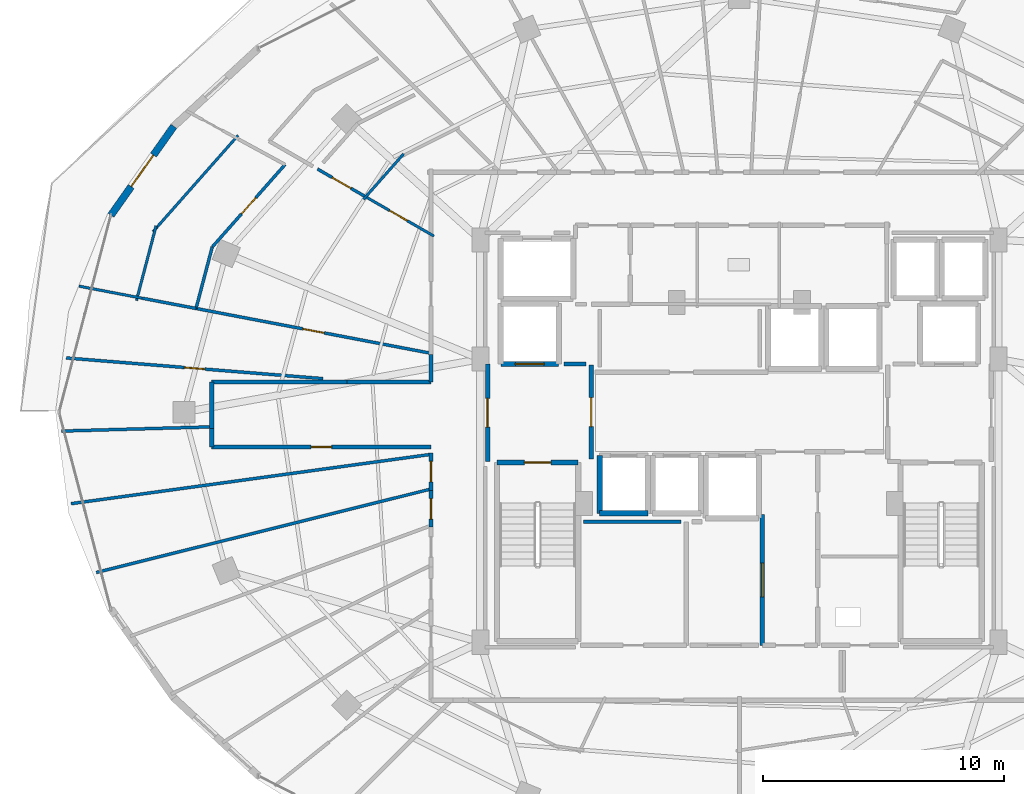
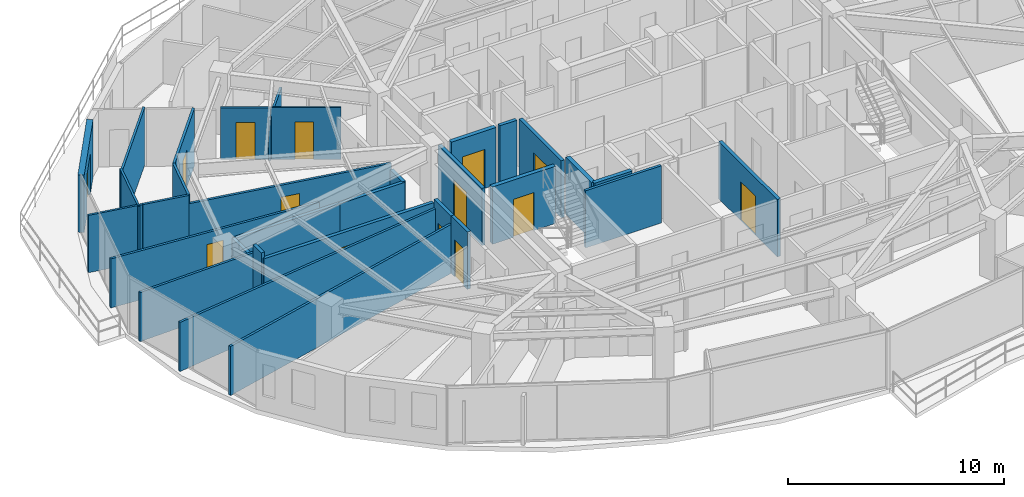
# One storey, part 25 of 33: 32 walls, 14 doors, 14 openings.
"""IFC4 building model written with IfcOpenShell, lengths in metres."""

from ifc_helpers import new_model, si_unit, direction, frame, frame_2d, origin, place, context, subcontext, project, spatial, rectangle, extrude, material, layer, layer_set, type_object, element, fill, save


model = new_model("IFC4")

# Units and contexts
model_context = context("Model", 3, precision=1e-05, world=origin(), true_north=direction((0.0, 1.0)))
body_context = subcontext(model_context, "Body", "Model", "MODEL_VIEW")
ifc_project = project(units=[si_unit("LENGTHUNIT", "METRE"), si_unit("AREAUNIT", "SQUARE_METRE"), si_unit("VOLUMEUNIT", "CUBIC_METRE"), si_unit("PLANEANGLEUNIT", "RADIAN"), si_unit("MASSUNIT", "GRAM", prefix="KILO")], contexts=[model_context])

# Site, building, storey
site_placement = place(None, origin())
site = spatial("IfcSite", under=ifc_project, at=site_placement, CompositionType="ELEMENT")
building_placement = place(site_placement, origin())
building = spatial("IfcBuilding", under=site, at=building_placement, Name="Vorneva Point Tower", CompositionType="ELEMENT")
storey_placement = place(building_placement, frame((0.0, 0.0, 196.60009765625)))
storey = spatial("IfcBuildingStorey", under=building, at=storey_placement, Name="L53", CompositionType="ELEMENT", Elevation=196.60009765625)

# Wall, opening, door
ifc_material_1 = material(Name="Concrete B60 (C50/60)", Category="concrete")
ifc_layer_1 = layer(ifc_material_1, 0.35009765625)
ifc_layer_set_1 = layer_set([ifc_layer_1], Name="Concrete B60 (C50/60)")
wall_type_1 = type_object("IfcWallType", Name="WL-CORE-350", PredefinedType="SHEAR", material=ifc_layer_set_1)
wall_1_placement = place(storey_placement, frame((28.10009765625, 28.0, 0.0), z_axis=(0.0, 0.0, 1.0), x_axis=(1.0, 0.0, 0.0)))
wall_1 = element("IfcWall", 1, at=wall_1_placement, inside=storey, type_object=wall_type_1, Name="L53 Lift FFL1 Shaft Wall -Y", PredefinedType="SHEAR", context=body_context, shape_type="SweptSolid", body=[
    extrude(rectangle(XDim=2.39990234375, YDim=0.219970703125, at=frame_2d((1.199951171875, 0.0))), origin(), (0.0, 0.0, 1.0), 3.239990234375),
])
opening_1_placement = place(wall_1_placement, frame((0.60009765625, 0.0, 0.0)))
opening_1 = element("IfcOpeningElement", 2, at=opening_1_placement, cuts=wall_1, Name="Opening LD-02", PredefinedType="OPENING", context=body_context, shape_type="SweptSolid", body=[
    extrude(rectangle(XDim=1.199951171875, YDim=2.199951171875, at=frame_2d((0.60009765625, 1.10009765625))), frame((0.0, 0.125, 0.0), z_axis=(0.0, -1.0, 0.0), x_axis=(1.0, 0.0, 0.0)), (0.0, 0.0, 1.0), 0.249755859375),
])
ifc_material_2 = material(Name="Brushed stainless steel S304", Category="steel")
door_type_1 = type_object("IfcDoorType", Name="LD-FIRE-1200", OperationType="SLIDING_TO_LEFT", PredefinedType="DOOR", material=ifc_material_2)
door_1_placement = place(opening_1_placement, origin())
door_1 = element("IfcDoor", 3, at=door_1_placement, inside=storey, type_object=door_type_1, Name="L53 Lift FFL1 Sliding Landing Door", OperationType="SLIDING_TO_LEFT", OverallHeight=2.199951171875, OverallWidth=1.199951171875, PredefinedType="DOOR", context=body_context, shape_type="SweptSolid", body=[
    extrude(rectangle(XDim=1.199951171875, YDim=2.199951171875, at=frame_2d((0.60009765625, 1.10009765625))), frame((0.0, 0.02490234375, 0.0), z_axis=(0.0, -1.0, 0.0), x_axis=(1.0, 0.0, 0.0)), (0.0, 0.0, 1.0), 0.050048828125),
])
fill(opening_1, door_1)

ifc_material_3 = material(Name="Precast concrete B50 (C40/50)", Category="concrete")
ifc_layer_2 = layer(ifc_material_3, 0.300048828125)
ifc_layer_set_2 = layer_set([ifc_layer_2], Name="Precast concrete B50 (C40/50)")
wall_type_2 = type_object("IfcWallType", Name="WL-EXT-300", PredefinedType="STANDARD", material=ifc_layer_set_2)
wall_2_placement = place(storey_placement, frame((14.527587890625, 37.861328125, 0.0), z_axis=(0.0, 0.0, 1.0), x_axis=(-0.577168747264, -0.81662490605, 0.0)))
wall_2 = element("IfcWall", 4, at=wall_2_placement, inside=storey, type_object=wall_type_2, Name="L53 Pale-Metal Facade Spandrel Wall 07.2", PredefinedType="STANDARD", context=body_context, shape_type="SweptSolid", body=[
    extrude(rectangle(XDim=4.519775390625, YDim=0.300048828125, at=frame_2d((2.259765625, 0.0))), origin(), (0.0, 0.0, 1.0), 3.239990234375),
])
opening_2_placement = place(wall_2_placement, frame((1.4599609375, 0.0, 0.0)))
opening_2 = element("IfcOpeningElement", 5, at=opening_2_placement, cuts=wall_2, Name="Opening BD-01", PredefinedType="OPENING", context=body_context, shape_type="SweptSolid", body=[
    extrude(rectangle(XDim=1.60009765625, YDim=2.300048828125, at=frame_2d((0.800048828125, 1.14990234375))), frame((0.0, 0.1650390625, 0.0), z_axis=(0.0, -1.0, 0.0), x_axis=(1.0, 0.0, 0.0)), (0.0, 0.0, 1.0), 0.329833984375),
])
ifc_material_4 = material(Name="Pale anodised aluminium", Category="aluminium")
door_type_2 = type_object("IfcDoorType", Name="DR-BAL-1600", OperationType="SLIDING_TO_LEFT", PredefinedType="DOOR", material=ifc_material_4)
door_2_placement = place(opening_2_placement, origin())
door_2 = element("IfcDoor", 6, at=door_2_placement, inside=storey, type_object=door_type_2, Name="L53 Balcony Terrace Access Door 07", OperationType="SLIDING_TO_LEFT", OverallHeight=2.300048828125, OverallWidth=1.60009765625, PredefinedType="DOOR", context=body_context, shape_type="SweptSolid", body=[
    extrude(rectangle(XDim=1.60009765625, YDim=2.300048828125, at=frame_2d((0.800048828125, 1.14990234375))), frame((0.0, 0.02490234375, 0.0), z_axis=(0.0, -1.0, 0.0), x_axis=(1.0, 0.0, 0.0)), (0.0, 0.0, 1.0), 0.050048828125),
])
fill(opening_2, door_2)

ifc_material_5 = material(Name="Fire-rated acoustic gypsum stud partition", Category="gypsum")
ifc_layer_3 = layer(ifc_material_5, 0.110107421875)
ifc_layer_set_3 = layer_set([ifc_layer_3], Name="Fire-rated acoustic gypsum stud partition")
wall_type_3 = type_object("IfcWallType", Name="WL-PART-110", PredefinedType="PARTITIONING", material=ifc_layer_set_3)
wall_3_placement = place(storey_placement, frame((25.3212890625, 33.30615234375, 0.0), z_axis=(0.0, 0.0, 1.0), x_axis=(-0.866517217622, 0.49914718427, 0.0)))
wall_3 = element("IfcWall", 7, at=wall_3_placement, inside=storey, type_object=wall_type_3, Name="L53 Interior Partition 091", PredefinedType="PARTITIONING", context=body_context, shape_type="SweptSolid", body=[
    extrude(rectangle(XDim=3.4052734375, YDim=0.110107421875, at=frame_2d((1.70263671875, 0.0))), origin(), (0.0, 0.0, 1.0), 2.921875),
])
opening_3_placement = place(wall_3_placement, frame((1.277587890625, 0.0, 0.0)))
opening_3 = element("IfcOpeningElement", 8, at=opening_3_placement, cuts=wall_3, Name="Opening ID-02", PredefinedType="OPENING", context=body_context, shape_type="SweptSolid", body=[
    extrude(rectangle(XDim=0.85009765625, YDim=2.10009765625, at=frame_2d((0.425048828125, 1.050048828125))), frame((0.0, 0.06982421875, 0.0), z_axis=(0.0, -1.0, 0.0), x_axis=(1.0, 0.0, 0.0)), (0.0, 0.0, 1.0), 0.139892578125),
])
ifc_material_6 = material(Name="Engineered oak fire-rated door leaf", Category="wood")
door_type_3 = type_object("IfcDoorType", Name="DR-BATH-850", OperationType="NOTDEFINED", PredefinedType="DOOR", material=ifc_material_6)
door_3_placement = place(opening_3_placement, origin())
door_3 = element("IfcDoor", 9, at=door_3_placement, inside=storey, type_object=door_type_3, Name="L53 Door Living and Dining Room L53-02 / Bathroom L53-02", OperationType="SINGLE_SWING_LEFT", OverallHeight=2.10009765625, OverallWidth=0.85009765625, PredefinedType="DOOR", context=body_context, shape_type="SweptSolid", body=[
    extrude(rectangle(XDim=0.85009765625, YDim=2.10009765625, at=frame_2d((0.425048828125, 1.050048828125))), frame((0.0, 0.02490234375, 0.0), z_axis=(0.0, -1.0, 0.0), x_axis=(1.0, 0.0, 0.0)), (0.0, 0.0, 1.0), 0.050048828125),
])
fill(opening_3, door_3)

# Walls
wall_4_placement = place(storey_placement, frame((13.21044921875, 30.728759765625, 0.0), z_axis=(0.0, 0.0, 1.0), x_axis=(-0.982266305937, 0.187491077708, 0.0)))
element("IfcWall", 10, at=wall_4_placement, inside=storey, type_object=wall_type_3, Name="L53 Interior Partition 093", PredefinedType="PARTITIONING", context=body_context, shape_type="SweptSolid", body=[
    extrude(rectangle(XDim=2.664306640625, YDim=0.110107421875, at=frame_2d((1.33203125, 0.0))), origin(), (0.0, 0.0, 1.0), 3.239990234375),
])
wall_5_placement = place(storey_placement, frame((22.3994140625, 34.8310546875, 0.0), z_axis=(0.0, 0.0, 1.0), x_axis=(0.662292938072, 0.749244996099, 0.0)))
element("IfcWall", 11, at=wall_5_placement, inside=storey, type_object=wall_type_3, Name="L53 Interior Partition 099", PredefinedType="PARTITIONING", context=body_context, shape_type="SweptSolid", body=[
    extrude(rectangle(XDim=2.512939453125, YDim=0.110107421875, at=frame_2d((1.25634765625, 0.0))), origin(), (0.0, 0.0, 1.0), 2.431884765625),
])
wall_6_placement = place(storey_placement, frame((12.978515625, 30.631591796875, 0.0), z_axis=(0.0, 0.0, 1.0), x_axis=(0.254121849718, 0.967172210879, 0.0)))
element("IfcWall", 12, at=wall_6_placement, inside=storey, type_object=wall_type_3, Name="L53 Interior Partition 101", PredefinedType="PARTITIONING", context=body_context, shape_type="SweptSolid", body=[
    extrude(rectangle(XDim=3.203125, YDim=0.110107421875, at=frame_2d((1.6015625, 0.0))), origin(), (0.0, 0.0, 1.0), 3.239990234375),
])
wall_7_placement = place(storey_placement, frame((13.664306640625, 33.489013671875, 0.0), z_axis=(0.0, 0.0, 1.0), x_axis=(0.662149418065, 0.74937183571, 0.0)))
element("IfcWall", 13, at=wall_7_placement, inside=storey, type_object=wall_type_3, Name="L53 Interior Partition 102", PredefinedType="PARTITIONING", context=body_context, shape_type="SweptSolid", body=[
    extrude(rectangle(XDim=5.337890625, YDim=0.110107421875, at=frame_2d((2.6689453125, 0.0))), origin(), (0.0, 0.0, 1.0), 3.239990234375),
])

# Wall, opening, door
ifc_layer_4 = layer(ifc_material_5, 0.125)
ifc_layer_set_4 = layer_set([ifc_layer_4], Name="Fire-rated acoustic gypsum stud partition")
wall_type_4 = type_object("IfcWallType", Name="WL-PART-125", PredefinedType="PARTITIONING", material=ifc_layer_set_4)
wall_8_placement = place(storey_placement, frame((22.491943359375, 34.93603515625, 0.0), z_axis=(0.0, 0.0, 1.0), x_axis=(-0.866435390844, 0.499289208267, 0.0)))
wall_8 = element("IfcWall", 14, at=wall_8_placement, inside=storey, type_object=wall_type_4, Name="L53 Interior Partition 090", PredefinedType="PARTITIONING", context=body_context, shape_type="SweptSolid", body=[
    extrude(rectangle(XDim=2.309326171875, YDim=0.125, at=frame_2d((1.15478515625, 0.0))), origin(), (0.0, 0.0, 1.0), 2.921875),
])
opening_4_placement = place(wall_8_placement, frame((0.70458984375, 0.0, 0.0)))
opening_4 = element("IfcOpeningElement", 15, at=opening_4_placement, cuts=wall_8, Name="Opening ID-01", PredefinedType="OPENING", context=body_context, shape_type="SweptSolid", body=[
    extrude(rectangle(XDim=0.89990234375, YDim=2.10009765625, at=frame_2d((0.449951171875, 1.050048828125))), frame((0.0, 0.077392578125, 0.0), z_axis=(0.0, -1.0, 0.0), x_axis=(1.0, 0.0, 0.0)), (0.0, 0.0, 1.0), 0.15478515625),
])
door_type_4 = type_object("IfcDoorType", Name="DR-ROOM-900", OperationType="NOTDEFINED", PredefinedType="DOOR", material=ifc_material_6)
door_4_placement = place(opening_4_placement, origin())
door_4 = element("IfcDoor", 16, at=door_4_placement, inside=storey, type_object=door_type_4, Name="L53 Door Living and Dining Room L53-02 / Family Dining Room L53-02", OperationType="SINGLE_SWING_RIGHT", OverallHeight=2.10009765625, OverallWidth=0.89990234375, PredefinedType="DOOR", context=body_context, shape_type="SweptSolid", body=[
    extrude(rectangle(XDim=0.89990234375, YDim=2.10009765625, at=frame_2d((0.449951171875, 1.050048828125))), frame((0.0, 0.02490234375, 0.0), z_axis=(0.0, -1.0, 0.0), x_axis=(1.0, 0.0, 0.0)), (0.0, 0.0, 1.0), 0.050048828125),
])
fill(opening_4, door_4)

wall_9_placement = place(storey_placement, frame((19.14501953125, 36.27294921875, 0.0), z_axis=(0.0, 0.0, 1.0), x_axis=(-0.662162868769, -0.749359950373, 0.0)))
wall_9 = element("IfcWall", 17, at=wall_9_placement, inside=storey, type_object=wall_type_4, Name="L53 Interior Partition 095", PredefinedType="PARTITIONING", context=body_context, shape_type="SweptSolid", body=[
    extrude(rectangle(XDim=4.563720703125, YDim=0.125, at=frame_2d((2.28173828125, 0.0))), origin(), (0.0, 0.0, 1.0), 3.239990234375),
])
opening_5_placement = place(wall_9_placement, frame((1.831787109375, 0.0, 0.0)))
opening_5 = element("IfcOpeningElement", 18, at=opening_5_placement, cuts=wall_9, Name="Opening ID-01", PredefinedType="OPENING", context=body_context, shape_type="SweptSolid", body=[
    extrude(rectangle(XDim=0.89990234375, YDim=2.10009765625, at=frame_2d((0.449951171875, 1.050048828125))), frame((0.0, 0.077392578125, 0.0), z_axis=(0.0, -1.0, 0.0), x_axis=(1.0, 0.0, 0.0)), (0.0, 0.0, 1.0), 0.15478515625),
])
door_5_placement = place(opening_5_placement, origin())
door_5 = element("IfcDoor", 19, at=door_5_placement, inside=storey, type_object=door_type_4, Name="L53 Door Living and Dining Room L53-02 / Study Room L53-02", OperationType="SINGLE_SWING_RIGHT", OverallHeight=2.10009765625, OverallWidth=0.89990234375, PredefinedType="DOOR", context=body_context, shape_type="SweptSolid", body=[
    extrude(rectangle(XDim=0.89990234375, YDim=2.10009765625, at=frame_2d((0.449951171875, 1.050048828125))), frame((0.0, 0.02490234375, 0.0), z_axis=(0.0, -1.0, 0.0), x_axis=(1.0, 0.0, 0.0)), (0.0, 0.0, 1.0), 0.050048828125),
])
fill(opening_5, door_5)

# Walls
wall_10_placement = place(storey_placement, frame((16.123046875, 32.85302734375, 0.0), z_axis=(0.0, 0.0, 1.0), x_axis=(-0.254775717765, -0.967000172512, 0.0)))
element("IfcWall", 20, at=wall_10_placement, inside=storey, type_object=wall_type_4, Name="L53 Interior Partition 096", PredefinedType="PARTITIONING", context=body_context, shape_type="SweptSolid", body=[
    extrude(rectangle(XDim=2.63818359375, YDim=0.125, at=frame_2d((1.319091796875, 0.0))), origin(), (0.0, 0.0, 1.0), 3.239990234375),
])
wall_11_placement = place(storey_placement, frame((15.450927734375, 30.302001953125, 0.0), z_axis=(0.0, 0.0, 1.0), x_axis=(-0.982295439063, 0.187338384738, 0.0)))
element("IfcWall", 21, at=wall_11_placement, inside=storey, type_object=wall_type_4, Name="L53 Interior Partition 097", PredefinedType="PARTITIONING", context=body_context, shape_type="SweptSolid", body=[
    extrude(rectangle(XDim=2.280517578125, YDim=0.125, at=frame_2d((1.14013671875, 0.0))), origin(), (0.0, 0.0, 1.0), 3.239990234375),
])

# Wall, opening, door
wall_12_placement = place(storey_placement, frame((15.450927734375, 30.3017578125, 0.0), z_axis=(0.0, 0.0, 1.0), x_axis=(0.982284698783, -0.187394691859, 0.0)))
wall_12 = element("IfcWall", 22, at=wall_12_placement, inside=storey, type_object=wall_type_4, Name="L53 Interior Partition 098", PredefinedType="PARTITIONING", context=body_context, shape_type="SweptSolid", body=[
    extrude(rectangle(XDim=9.9248046875, YDim=0.125, at=frame_2d((4.96240234375, 0.0))), origin(), (0.0, 0.0, 1.0), 2.77392578125),
])
opening_6_placement = place(wall_12_placement, frame((4.512451171875, 0.0, 0.0)))
opening_6 = element("IfcOpeningElement", 23, at=opening_6_placement, cuts=wall_12, Name="Opening ID-01", PredefinedType="OPENING", context=body_context, shape_type="SweptSolid", body=[
    extrude(rectangle(XDim=0.89990234375, YDim=2.10009765625, at=frame_2d((0.449951171875, 1.050048828125))), frame((0.0, 0.077392578125, 0.0), z_axis=(0.0, -1.0, 0.0), x_axis=(1.0, 0.0, 0.0)), (0.0, 0.0, 1.0), 0.15478515625),
])
door_6_placement = place(opening_6_placement, origin())
door_6 = element("IfcDoor", 24, at=door_6_placement, inside=storey, type_object=door_type_4, Name="L53 Door Living and Dining Room L53-02 / Master Bedroom L53-02.1", OperationType="SINGLE_SWING_LEFT", OverallHeight=2.10009765625, OverallWidth=0.89990234375, PredefinedType="DOOR", context=body_context, shape_type="SweptSolid", body=[
    extrude(rectangle(XDim=0.89990234375, YDim=2.10009765625, at=frame_2d((0.449951171875, 1.050048828125))), frame((0.0, 0.02490234375, 0.0), z_axis=(0.0, -1.0, 0.0), x_axis=(1.0, 0.0, 0.0)), (0.0, 0.0, 1.0), 0.050048828125),
])
fill(opening_6, door_6)

wall_13_placement = place(storey_placement, frame((10.06396484375, 28.248046875, 0.0), z_axis=(0.0, 0.0, 1.0), x_axis=(0.996775744362, -0.080237867939, 0.0)))
wall_13 = element("IfcWall", 25, at=wall_13_placement, inside=storey, type_object=wall_type_4, Name="L53 Interior Partition 103", PredefinedType="PARTITIONING", context=body_context, shape_type="SweptSolid", body=[
    extrude(rectangle(XDim=10.695068359375, YDim=0.125, at=frame_2d((5.34765625, 0.0))), origin(), (0.0, 0.0, 1.0), 2.77392578125),
])
opening_7_placement = place(wall_13_placement, frame((4.922607421875, 0.0, 0.0)))
opening_7 = element("IfcOpeningElement", 26, at=opening_7_placement, cuts=wall_13, Name="Opening ID-02", PredefinedType="OPENING", context=body_context, shape_type="SweptSolid", body=[
    extrude(rectangle(XDim=0.85009765625, YDim=2.10009765625, at=frame_2d((0.425048828125, 1.050048828125))), frame((0.0, 0.077392578125, 0.0), z_axis=(0.0, -1.0, 0.0), x_axis=(1.0, 0.0, 0.0)), (0.0, 0.0, 1.0), 0.15478515625),
])
door_7_placement = place(opening_7_placement, origin())
door_7 = element("IfcDoor", 27, at=door_7_placement, inside=storey, type_object=door_type_3, Name="L53 Access Door Master Bedroom L53-02.1", OperationType="SINGLE_SWING_RIGHT", OverallHeight=2.10009765625, OverallWidth=0.85009765625, PredefinedType="DOOR", context=body_context, shape_type="SweptSolid", body=[
    extrude(rectangle(XDim=0.85009765625, YDim=2.10009765625, at=frame_2d((0.425048828125, 1.050048828125))), frame((0.0, 0.02490234375, 0.0), z_axis=(0.0, -1.0, 0.0), x_axis=(1.0, 0.0, 0.0)), (0.0, 0.0, 1.0), 0.050048828125),
])
fill(opening_7, door_7)

# Walls
wall_14_placement = place(storey_placement, frame((9.873046875, 25.214111328125, 0.0), z_axis=(0.0, 0.0, 1.0), x_axis=(0.999610603939, 0.027904130401, 0.0)))
element("IfcWall", 28, at=wall_14_placement, inside=storey, type_object=wall_type_4, Name="L53 Interior Partition 104", PredefinedType="PARTITIONING", context=body_context, shape_type="SweptSolid", body=[
    extrude(rectangle(XDim=6.2294921875, YDim=0.125, at=frame_2d((3.11474609375, 0.0))), origin(), (0.0, 0.0, 1.0), 2.77392578125),
])
wall_15_placement = place(storey_placement, frame((10.26611328125, 22.200927734375, 0.0), z_axis=(0.0, 0.0, 1.0), x_axis=(0.990743725495, 0.135745609106, 0.0)))
element("IfcWall", 29, at=wall_15_placement, inside=storey, type_object=wall_type_4, Name="L53 Interior Partition 105", PredefinedType="PARTITIONING", context=body_context, shape_type="SweptSolid", body=[
    extrude(rectangle(XDim=15.0732421875, YDim=0.125, at=frame_2d((7.53662109375, 0.0))), origin(), (0.0, 0.0, 1.0), 2.77392578125),
])
wall_16_placement = place(storey_placement, frame((11.31201171875, 19.345947265625, 0.0), z_axis=(0.0, 0.0, 1.0), x_axis=(0.970287811835, 0.241953636475, 0.0)))
element("IfcWall", 30, at=wall_16_placement, inside=storey, type_object=wall_type_4, Name="L53 Interior Partition 106", PredefinedType="PARTITIONING", context=body_context, shape_type="SweptSolid", body=[
    extrude(rectangle(XDim=14.313232421875, YDim=0.125, at=frame_2d((7.15673828125, 0.0))), origin(), (0.0, 0.0, 1.0), 2.77392578125),
])
ifc_layer_5 = layer(ifc_material_5, 0.139892578125)
ifc_layer_set_5 = layer_set([ifc_layer_5], Name="Fire-rated acoustic gypsum stud partition")
wall_type_5 = type_object("IfcWallType", Name="WL-PART-140", PredefinedType="PARTITIONING", material=ifc_layer_set_5)
wall_17_placement = place(storey_placement, frame((35.580078125, 21.449951171875, 0.0), z_axis=(0.0, 0.0, 1.0), x_axis=(-1.0, 0.0, 0.0)))
element("IfcWall", 31, at=wall_17_placement, inside=storey, type_object=wall_type_5, Name="L53 Interior Closure Partition 134", PredefinedType="PARTITIONING", context=body_context, shape_type="SweptSolid", body=[
    extrude(rectangle(XDim=4.050048828125, YDim=0.139892578125, at=frame_2d((2.02490234375, 0.0))), origin(), (0.0, 0.0, 1.0), 3.239990234375),
])

# Wall, opening, door
ifc_material_7 = material(Name="Autoclaved aerated concrete blockwork", Category="masonry")
ifc_layer_6 = layer(ifc_material_7, 0.179931640625)
ifc_layer_set_6 = layer_set([ifc_layer_6], Name="Autoclaved aerated concrete blockwork")
wall_type_6 = type_object("IfcWallType", Name="WL-PART-180", PredefinedType="PARTITIONING", material=ifc_layer_set_6)
wall_18_placement = place(storey_placement, frame((31.85009765625, 24.044921875, 0.0), z_axis=(0.0, 0.0, 1.0), x_axis=(0.0, 1.0, 0.0)))
wall_18 = element("IfcWall", 32, at=wall_18_placement, inside=storey, type_object=wall_type_6, Name="L53 Interior Partition 001", PredefinedType="PARTITIONING", context=body_context, shape_type="SweptSolid", body=[
    extrude(rectangle(XDim=3.91015625, YDim=0.179931640625, at=frame_2d((1.955078125, 0.0))), origin(), (0.0, 0.0, 1.0), 3.239990234375),
])
opening_8_placement = place(wall_18_placement, frame((1.35498046875, 0.0, 0.0)))
opening_8 = element("IfcOpeningElement", 33, at=opening_8_placement, cuts=wall_18, Name="Opening FD-02", PredefinedType="OPENING", context=body_context, shape_type="SweptSolid", body=[
    extrude(rectangle(XDim=1.199951171875, YDim=2.14990234375, at=frame_2d((0.60009765625, 1.074951171875))), frame((0.0, 0.10498046875, 0.0), z_axis=(0.0, -1.0, 0.0), x_axis=(1.0, 0.0, 0.0)), (0.0, 0.0, 1.0), 0.209716796875),
])
ifc_material_8 = material(Name="Fire-rated powder-coated steel", Category="steel")
door_type_5 = type_object("IfcDoorType", Name="DR-FFL-1200", OperationType="NOTDEFINED", PredefinedType="DOOR", material=ifc_material_8)
door_8_placement = place(opening_8_placement, origin())
door_8 = element("IfcDoor", 34, at=door_8_placement, inside=storey, type_object=door_type_5, Name="L53 Door West Firefighting Lobby / Central Lift Lobby", OperationType="SINGLE_SWING_LEFT", OverallHeight=2.14990234375, OverallWidth=1.199951171875, PredefinedType="DOOR", context=body_context, shape_type="SweptSolid", body=[
    extrude(rectangle(XDim=1.199951171875, YDim=2.14990234375, at=frame_2d((0.60009765625, 1.074951171875))), frame((0.0, 0.02490234375, 0.0), z_axis=(0.0, -1.0, 0.0), x_axis=(1.0, 0.0, 0.0)), (0.0, 0.0, 1.0), 0.050048828125),
])
fill(opening_8, door_8)

wall_19_placement = place(storey_placement, frame((27.550048828125, 28.0, 0.0), z_axis=(0.0, 0.0, 1.0), x_axis=(0.0, -1.0, 0.0)))
wall_19 = element("IfcWall", 35, at=wall_19_placement, inside=storey, type_object=wall_type_6, Name="L53 Interior Partition 002", PredefinedType="PARTITIONING", context=body_context, shape_type="SweptSolid", body=[
    extrude(rectangle(XDim=4.050048828125, YDim=0.179931640625, at=frame_2d((2.02490234375, 0.0))), origin(), (0.0, 0.0, 1.0), 3.239990234375),
])
opening_9_placement = place(wall_19_placement, frame((1.425048828125, 0.0, 0.0)))
opening_9 = element("IfcOpeningElement", 36, at=opening_9_placement, cuts=wall_19, Name="Opening FD-02", PredefinedType="OPENING", context=body_context, shape_type="SweptSolid", body=[
    extrude(rectangle(XDim=1.199951171875, YDim=2.14990234375, at=frame_2d((0.60009765625, 1.074951171875))), frame((0.0, 0.10498046875, 0.0), z_axis=(0.0, -1.0, 0.0), x_axis=(1.0, 0.0, 0.0)), (0.0, 0.0, 1.0), 0.209716796875),
])
door_9_placement = place(opening_9_placement, origin())
door_9 = element("IfcDoor", 37, at=door_9_placement, inside=storey, type_object=door_type_5, Name="L53 Door West Firefighting Lobby / L53 Circulation Corridor", OperationType="SINGLE_SWING_RIGHT", OverallHeight=2.14990234375, OverallWidth=1.199951171875, PredefinedType="DOOR", context=body_context, shape_type="SweptSolid", body=[
    extrude(rectangle(XDim=1.199951171875, YDim=2.14990234375, at=frame_2d((0.60009765625, 1.074951171875))), frame((0.0, 0.02490234375, 0.0), z_axis=(0.0, -1.0, 0.0), x_axis=(1.0, 0.0, 0.0)), (0.0, 0.0, 1.0), 0.050048828125),
])
fill(opening_9, door_9)

wall_20_placement = place(storey_placement, frame((38.949951171875, 21.7548828125, 0.0), z_axis=(0.0, 0.0, 1.0), x_axis=(0.0, -1.0, 0.0)))
wall_20 = element("IfcWall", 38, at=wall_20_placement, inside=storey, type_object=wall_type_6, Name="L53 Interior Partition 015", PredefinedType="PARTITIONING", context=body_context, shape_type="SweptSolid", body=[
    extrude(rectangle(XDim=5.434814453125, YDim=0.179931640625, at=frame_2d((2.71728515625, 0.0))), origin(), (0.0, 0.0, 1.0), 3.239990234375),
])
opening_10_placement = place(wall_20_placement, frame((2.017578125, 0.0, 0.0)))
opening_10 = element("IfcOpeningElement", 39, at=opening_10_placement, cuts=wall_20, Name="Opening FD-03", PredefinedType="OPENING", context=body_context, shape_type="SweptSolid", body=[
    extrude(rectangle(XDim=1.39990234375, YDim=2.199951171875, at=frame_2d((0.699951171875, 1.10009765625))), frame((0.0, 0.10498046875, 0.0), z_axis=(0.0, -1.0, 0.0), x_axis=(1.0, 0.0, 0.0)), (0.0, 0.0, 1.0), 0.209716796875),
])
door_type_6 = type_object("IfcDoorType", Name="DR-PLT-1400", OperationType="DOUBLE_SWING_LEFT", PredefinedType="DOOR", material=ifc_material_8)
door_10_placement = place(opening_10_placement, origin())
door_10 = element("IfcDoor", 40, at=door_10_placement, inside=storey, type_object=door_type_6, Name="L53 Door Core Service Lobby / Telecoms and Data Room", OperationType="DOUBLE_SWING_LEFT", OverallHeight=2.199951171875, OverallWidth=1.39990234375, PredefinedType="DOOR", context=body_context, shape_type="SweptSolid", body=[
    extrude(rectangle(XDim=1.39990234375, YDim=2.199951171875, at=frame_2d((0.699951171875, 1.10009765625))), frame((0.0, 0.02490234375, 0.0), z_axis=(0.0, -1.0, 0.0), x_axis=(1.0, 0.0, 0.0)), (0.0, 0.0, 1.0), 0.050048828125),
])
fill(opening_10, door_10)

# Walls
wall_21_placement = place(storey_placement, frame((25.199951171875, 28.382080078125, 0.0), z_axis=(0.0, 0.0, 1.0), x_axis=(0.0, -1.0, 0.0)))
element("IfcWall", 41, at=wall_21_placement, inside=storey, type_object=wall_type_6, Name="L53 Interior Partition 042", PredefinedType="PARTITIONING", context=body_context, shape_type="SweptSolid", body=[
    extrude(rectangle(XDim=1.132080078125, YDim=0.179931640625, at=frame_2d((0.56591796875, 0.0))), origin(), (0.0, 0.0, 1.0), 2.431884765625),
])
wall_22_placement = place(storey_placement, frame((25.199951171875, 27.25, 0.0), z_axis=(0.0, 0.0, 1.0), x_axis=(-1.0, 0.0, 0.0)))
element("IfcWall", 42, at=wall_22_placement, inside=storey, type_object=wall_type_6, Name="L53 Interior Partition 043", PredefinedType="PARTITIONING", context=body_context, shape_type="SweptSolid", body=[
    extrude(rectangle(XDim=3.48388671875, YDim=0.179931640625, at=frame_2d((1.741943359375, 0.0))), origin(), (0.0, 0.0, 1.0), 2.431884765625),
])
wall_23_placement = place(storey_placement, frame((16.10009765625, 27.25, 0.0), z_axis=(0.0, 0.0, 1.0), x_axis=(0.0, -1.0, 0.0)))
element("IfcWall", 43, at=wall_23_placement, inside=storey, type_object=wall_type_6, Name="L53 Interior Partition 044", PredefinedType="PARTITIONING", context=body_context, shape_type="SweptSolid", body=[
    extrude(rectangle(XDim=1.922119140625, YDim=0.179931640625, at=frame_2d((0.9609375, 0.0))), origin(), (0.0, 0.0, 1.0), 2.431884765625),
])
wall_24_placement = place(storey_placement, frame((21.716064453125, 27.25, 0.0), z_axis=(0.0, 0.0, 1.0), x_axis=(-1.0, 0.0, 0.0)))
element("IfcWall", 44, at=wall_24_placement, inside=storey, type_object=wall_type_6, Name="L53 Interior Partition 045", PredefinedType="PARTITIONING", context=body_context, shape_type="SweptSolid", body=[
    extrude(rectangle(XDim=5.615966796875, YDim=0.179931640625, at=frame_2d((2.80810546875, 0.0))), origin(), (0.0, 0.0, 1.0), 2.431884765625),
])
wall_25_placement = place(storey_placement, frame((16.10009765625, 25.327880859375, 0.0), z_axis=(0.0, 0.0, 1.0), x_axis=(0.0, -1.0, 0.0)))
element("IfcWall", 45, at=wall_25_placement, inside=storey, type_object=wall_type_6, Name="L53 Interior Partition 046", PredefinedType="PARTITIONING", context=body_context, shape_type="SweptSolid", body=[
    extrude(rectangle(XDim=0.77783203125, YDim=0.179931640625, at=frame_2d((0.388916015625, 0.0))), origin(), (0.0, 0.0, 1.0), 3.239990234375),
])

# Wall, opening, door
wall_26_placement = place(storey_placement, frame((16.10009765625, 24.550048828125, 0.0), z_axis=(0.0, 0.0, 1.0), x_axis=(1.0, 0.0, 0.0)))
wall_26 = element("IfcWall", 46, at=wall_26_placement, inside=storey, type_object=wall_type_6, Name="L53 Interior Partition 047", PredefinedType="PARTITIONING", context=body_context, shape_type="SweptSolid", body=[
    extrude(rectangle(XDim=9.099853515625, YDim=0.179931640625, at=frame_2d((4.5498046875, 0.0))), origin(), (0.0, 0.0, 1.0), 2.921875),
])
opening_11_placement = place(wall_26_placement, frame((4.125, 0.0, 0.0)))
opening_11 = element("IfcOpeningElement", 47, at=opening_11_placement, cuts=wall_26, Name="Opening ID-02", PredefinedType="OPENING", context=body_context, shape_type="SweptSolid", body=[
    extrude(rectangle(XDim=0.85009765625, YDim=2.10009765625, at=frame_2d((0.425048828125, 1.050048828125))), frame((0.0, 0.10498046875, 0.0), z_axis=(0.0, -1.0, 0.0), x_axis=(1.0, 0.0, 0.0)), (0.0, 0.0, 1.0), 0.209716796875),
])
door_11_placement = place(opening_11_placement, origin())
door_11 = element("IfcDoor", 48, at=door_11_placement, inside=storey, type_object=door_type_3, Name="L53 Access Door L53 Circulation Corridor", OperationType="SINGLE_SWING_RIGHT", OverallHeight=2.10009765625, OverallWidth=0.85009765625, PredefinedType="DOOR", context=body_context, shape_type="SweptSolid", body=[
    extrude(rectangle(XDim=0.85009765625, YDim=2.10009765625, at=frame_2d((0.425048828125, 1.050048828125))), frame((0.0, 0.02490234375, 0.0), z_axis=(0.0, -1.0, 0.0), x_axis=(1.0, 0.0, 0.0)), (0.0, 0.0, 1.0), 0.050048828125),
])
fill(opening_11, door_11)

wall_27_placement = place(storey_placement, frame((25.199951171875, 24.306884765625, 0.0), z_axis=(0.0, 0.0, 1.0), x_axis=(0.0, -1.0, 0.0)))
wall_27 = element("IfcWall", 49, at=wall_27_placement, inside=storey, type_object=wall_type_6, Name="L53 Interior Partition 048", PredefinedType="PARTITIONING", context=body_context, shape_type="SweptSolid", body=[
    extrude(rectangle(XDim=1.559814453125, YDim=0.179931640625, at=frame_2d((0.77978515625, 0.0))), origin(), (0.0, 0.0, 1.0), 3.239990234375),
])
opening_12_placement = place(wall_27_placement, frame((0.35498046875, 0.0, 0.0)))
opening_12 = element("IfcOpeningElement", 50, at=opening_12_placement, cuts=wall_27, Name="Opening ID-02", PredefinedType="OPENING", context=body_context, shape_type="SweptSolid", body=[
    extrude(rectangle(XDim=0.85009765625, YDim=2.10009765625, at=frame_2d((0.425048828125, 1.050048828125))), frame((0.0, 0.10498046875, 0.0), z_axis=(0.0, -1.0, 0.0), x_axis=(1.0, 0.0, 0.0)), (0.0, 0.0, 1.0), 0.209716796875),
])
door_12_placement = place(opening_12_placement, origin())
door_12 = element("IfcDoor", 51, at=door_12_placement, inside=storey, type_object=door_type_3, Name="L53 Access Door L53 Circulation Corridor", OperationType="SINGLE_SWING_LEFT", OverallHeight=2.10009765625, OverallWidth=0.85009765625, PredefinedType="DOOR", context=body_context, shape_type="SweptSolid", body=[
    extrude(rectangle(XDim=0.85009765625, YDim=2.10009765625, at=frame_2d((0.425048828125, 1.050048828125))), frame((0.0, 0.02490234375, 0.0), z_axis=(0.0, -1.0, 0.0), x_axis=(1.0, 0.0, 0.0)), (0.0, 0.0, 1.0), 0.050048828125),
])
fill(opening_12, door_12)

wall_28_placement = place(storey_placement, frame((25.199951171875, 22.7470703125, 0.0), z_axis=(0.0, 0.0, 1.0), x_axis=(0.0, -1.0, 0.0)))
wall_28 = element("IfcWall", 52, at=wall_28_placement, inside=storey, type_object=wall_type_6, Name="L53 Interior Partition 049", PredefinedType="PARTITIONING", context=body_context, shape_type="SweptSolid", body=[
    extrude(rectangle(XDim=1.52001953125, YDim=0.179931640625, at=frame_2d((0.760009765625, 0.0))), origin(), (0.0, 0.0, 1.0), 3.239990234375),
])
opening_13_placement = place(wall_28_placement, frame((0.3349609375, 0.0, 0.0)))
opening_13 = element("IfcOpeningElement", 53, at=opening_13_placement, cuts=wall_28, Name="Opening ID-02", PredefinedType="OPENING", context=body_context, shape_type="SweptSolid", body=[
    extrude(rectangle(XDim=0.85009765625, YDim=2.10009765625, at=frame_2d((0.425048828125, 1.050048828125))), frame((0.0, 0.10498046875, 0.0), z_axis=(0.0, -1.0, 0.0), x_axis=(1.0, 0.0, 0.0)), (0.0, 0.0, 1.0), 0.209716796875),
])
door_13_placement = place(opening_13_placement, origin())
door_13 = element("IfcDoor", 54, at=door_13_placement, inside=storey, type_object=door_type_3, Name="L53 Access Door L53 Circulation Corridor", OperationType="SINGLE_SWING_RIGHT", OverallHeight=2.10009765625, OverallWidth=0.85009765625, PredefinedType="DOOR", context=body_context, shape_type="SweptSolid", body=[
    extrude(rectangle(XDim=0.85009765625, YDim=2.10009765625, at=frame_2d((0.425048828125, 1.050048828125))), frame((0.0, 0.02490234375, 0.0), z_axis=(0.0, -1.0, 0.0), x_axis=(1.0, 0.0, 0.0)), (0.0, 0.0, 1.0), 0.050048828125),
])
fill(opening_13, door_13)

# Wall
wall_29_placement = place(storey_placement, frame((31.635009765625, 28.0, 0.0), z_axis=(0.0, 0.0, 1.0), x_axis=(-1.0, 0.0, 0.0)))
element("IfcWall", 55, at=wall_29_placement, inside=storey, type_object=wall_type_6, Name="L53 Interior Closure Partition 129", PredefinedType="PARTITIONING", context=body_context, shape_type="SweptSolid", body=[
    extrude(rectangle(XDim=0.9150390625, YDim=0.179931640625, at=frame_2d((0.45751953125, 0.0))), origin(), (0.0, 0.0, 1.0), 3.239990234375),
])

# Wall, opening, door
ifc_material_9 = material(Name="Concrete B50 (C40/50)", Category="concrete")
ifc_layer_7 = layer(ifc_material_9, 0.219970703125)
ifc_layer_set_7 = layer_set([ifc_layer_7], Name="Concrete B50 (C40/50)")
wall_type_7 = type_object("IfcWallType", Name="WL-SHFT-220", PredefinedType="SOLIDWALL", material=ifc_layer_set_7)
wall_30_placement = place(storey_placement, frame((27.93994140625, 23.909912109375, 0.0), z_axis=(0.0, 0.0, 1.0), x_axis=(1.0, 0.0, 0.0)))
wall_30 = element("IfcWall", 56, at=wall_30_placement, inside=storey, type_object=wall_type_7, Name="L53 Exit Stair ST1 Shaft Wall near", PredefinedType="SOLIDWALL", context=body_context, shape_type="SweptSolid", body=[
    extrude(rectangle(XDim=3.3701171875, YDim=0.219970703125, at=frame_2d((1.68505859375, 0.0))), origin(), (0.0, 0.0, 1.0), 3.239990234375),
])
opening_14_placement = place(wall_30_placement, frame((1.135009765625, 0.0, 0.0)))
opening_14 = element("IfcOpeningElement", 57, at=opening_14_placement, cuts=wall_30, Name="Opening FD-01", PredefinedType="OPENING", context=body_context, shape_type="SweptSolid", body=[
    extrude(rectangle(XDim=1.10009765625, YDim=2.14990234375, at=frame_2d((0.550048828125, 1.074951171875))), frame((0.0, 0.125, 0.0), z_axis=(0.0, -1.0, 0.0), x_axis=(1.0, 0.0, 0.0)), (0.0, 0.0, 1.0), 0.249755859375),
])
door_type_7 = type_object("IfcDoorType", Name="DR-STAIR-1100", OperationType="NOTDEFINED", PredefinedType="DOOR", material=ifc_material_8)
door_14_placement = place(opening_14_placement, origin())
door_14 = element("IfcDoor", 58, at=door_14_placement, inside=storey, type_object=door_type_7, Name="L53 Exit Stair ST1 Fire Door", OperationType="SINGLE_SWING_LEFT", OverallHeight=2.14990234375, OverallWidth=1.10009765625, PredefinedType="DOOR", context=body_context, shape_type="SweptSolid", body=[
    extrude(rectangle(XDim=1.10009765625, YDim=2.14990234375, at=frame_2d((0.550048828125, 1.074951171875))), frame((0.0, 0.02490234375, 0.0), z_axis=(0.0, -1.0, 0.0), x_axis=(1.0, 0.0, 0.0)), (0.0, 0.0, 1.0), 0.050048828125),
])
fill(opening_14, door_14)

# Walls
wall_31_placement = place(storey_placement, frame((32.199951171875, 21.800048828125, 0.0), z_axis=(0.0, 0.0, 1.0), x_axis=(1.0, 0.0, 0.0)))
element("IfcWall", 59, at=wall_31_placement, inside=storey, type_object=wall_type_7, Name="L53 Lift PL4 Shaft Wall -Y", PredefinedType="SOLIDWALL", context=body_context, shape_type="SweptSolid", body=[
    extrude(rectangle(XDim=2.0, YDim=0.219970703125, at=frame_2d((1.0, 0.0))), origin(), (0.0, 0.0, 1.0), 3.239990234375),
])
wall_32_placement = place(storey_placement, frame((32.199951171875, 24.199951171875, 0.0), z_axis=(0.0, 0.0, 1.0), x_axis=(0.0, -1.0, 0.0)))
element("IfcWall", 60, at=wall_32_placement, inside=storey, type_object=wall_type_7, Name="L53 Lift PL4 Shaft Wall -X", PredefinedType="SOLIDWALL", context=body_context, shape_type="SweptSolid", body=[
    extrude(rectangle(XDim=2.39990234375, YDim=0.219970703125, at=frame_2d((1.199951171875, 0.0))), origin(), (0.0, 0.0, 1.0), 3.239990234375),
])

save(model, "model.ifc")
